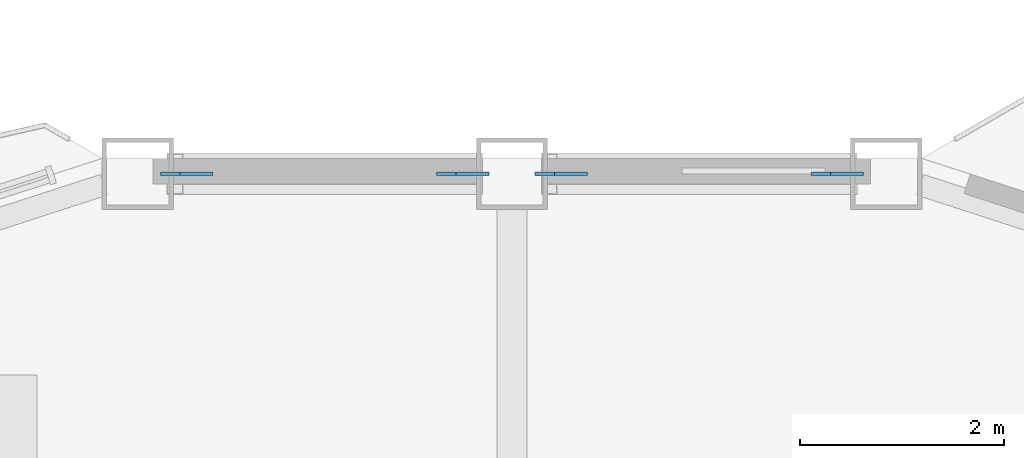
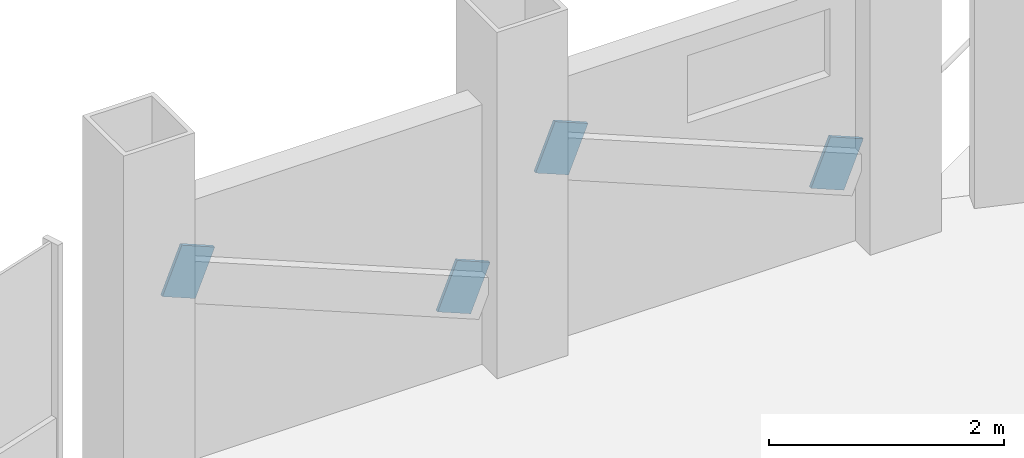
# One storey, part 18 of 23: 4 discrete accessories.
"""IFC4 building model written with IfcOpenShell, lengths in metres."""

from ifc_helpers import new_model, si_unit, direction, frame, origin, origin_2d, place, context, subcontext, project, spatial, rectangle, extrude, material, material_profile, profile_set, type_object, element, save


model = new_model("IFC4")

# Units and contexts
model_context = context("Model", 3, precision=1e-05, world=origin(), true_north=direction((0.0, 1.0)))
body_context = subcontext(model_context, "Body", "Model", "MODEL_VIEW")
ifc_project = project(units=[si_unit("LENGTHUNIT", "METRE"), si_unit("AREAUNIT", "SQUARE_METRE"), si_unit("VOLUMEUNIT", "CUBIC_METRE"), si_unit("PLANEANGLEUNIT", "RADIAN"), si_unit("MASSUNIT", "GRAM", prefix="KILO")], contexts=[model_context])

# Site, building, storey
site_placement = place(None, origin())
site = spatial("IfcSite", under=ifc_project, at=site_placement, CompositionType="ELEMENT")
building_placement = place(site_placement, origin())
building = spatial("IfcBuilding", under=site, at=building_placement, Name="Cormorant Prow Tower", CompositionType="ELEMENT")
storey_placement = place(building_placement, frame((0.0, 0.0, 252.60009765625)))
storey = spatial("IfcBuildingStorey", under=building, at=storey_placement, Name="L56", CompositionType="ELEMENT", Elevation=252.60009765625)

# Discrete accessories
ifc_material = material(Name="Structural steel ASTM A500 Gr C", Category="steel")
ifc_material_profile = material_profile(ifc_material, rectangle(XDim=0.031982421875, YDim=0.506103515625, at=origin_2d()), Name="Gusset plate 32x506")
ifc_profile_set = profile_set([ifc_material_profile], Name="Structural steel ASTM A500 Gr C")
discrete_accessory_type = type_object("IfcDiscreteAccessoryType", Name="Gusset plate 32x506", PredefinedType="BRACKET", material=ifc_profile_set)
for number, where, z_axis, x_axis, name in (
    (1, (3.027099609375, 32.073486328125, 0.863037109375), (0.925513623242, 0.0, -0.378714316067), (0.0, 1.0, 0.0), "Gusset plate GP2 L56.N00.g0"),
    (2, (0.643310546875, 32.073486328125, 1.837646484375), (-0.925513623242, 0.0, 0.378714316067), (0.0, -1.0, 0.0), "Gusset plate GP2 L56.N00.g1"),
    (3, (-0.643310546875, 32.073486328125, 0.863037109375), (0.925513623242, 0.0, -0.378714316067), (0.0, 1.0, 0.0), "Gusset plate GP2 L56.N01.g0"),
    (4, (-3.027099609375, 32.073486328125, 1.837646484375), (-0.925513623242, 0.0, 0.378714316067), (0.0, -1.0, 0.0), "Gusset plate GP2 L56.N01.g1"),
):
    element("IfcDiscreteAccessory", number, at=place(storey_placement, frame(where, z_axis=z_axis, x_axis=x_axis)), inside=storey, type_object=discrete_accessory_type, Name=name, PredefinedType="BRACKET", context=body_context, shape_type="SweptSolid", body=[
        extrude(rectangle(XDim=0.031982421875, YDim=0.506103515625, at=origin_2d()), origin(), (0.0, 0.0, 1.0), 0.35009765625),
    ])

save(model, "model.ifc")
